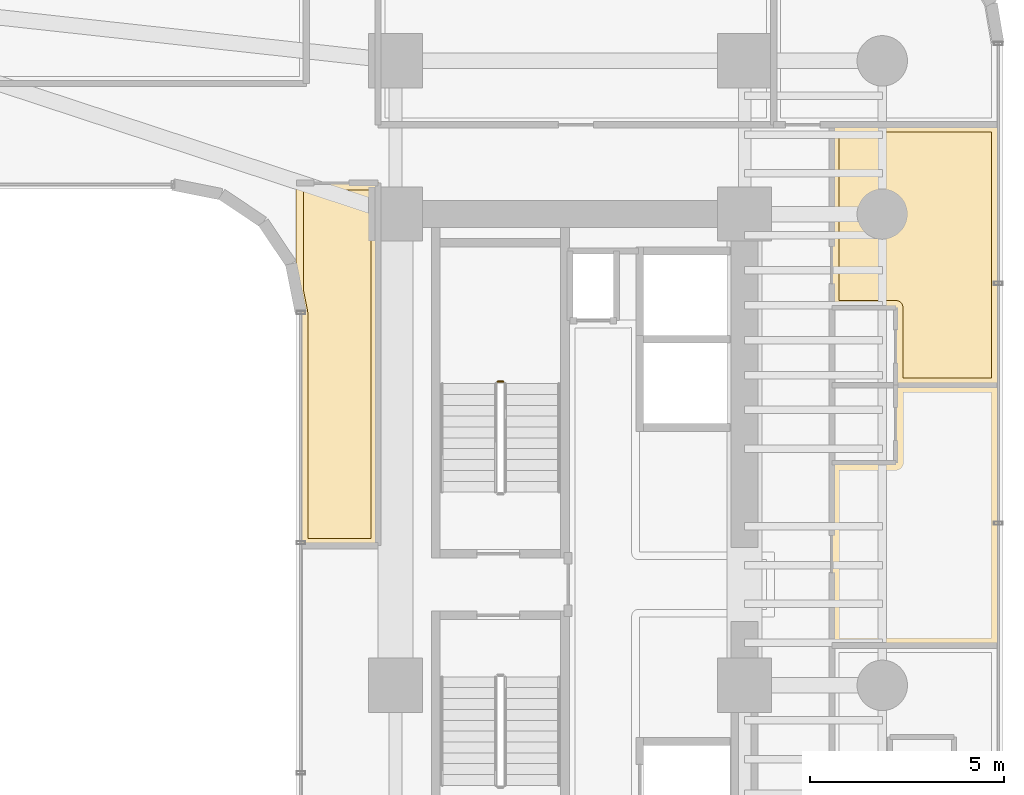
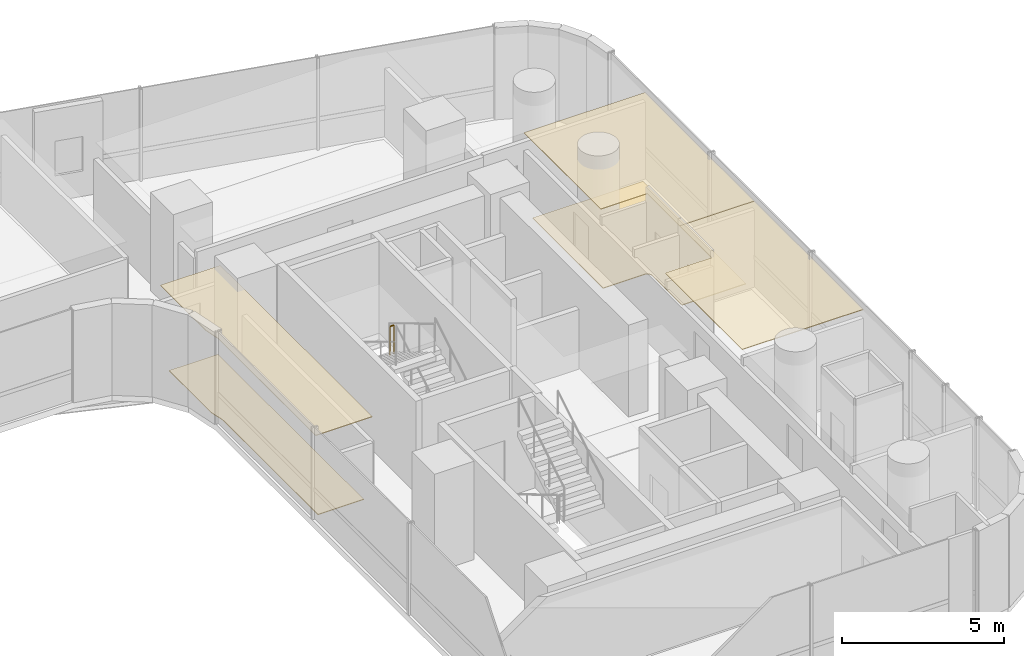
# One storey, part 38 of 39: 5 coverings, 1 railing.
"""IFC4 building model written with IfcOpenShell, lengths in metres."""

from ifc_helpers import new_model, si_unit, direction, frame, origin, origin_2d, place, context, subcontext, project, spatial, polyline, circle, outline, extrude, material, layer, layer_set, type_object, element, save


model = new_model("IFC4")

# Units and contexts
model_context = context("Model", 3, precision=1e-05, world=origin(), true_north=direction((0.0, 1.0)))
body_context = subcontext(model_context, "Body", "Model", "MODEL_VIEW")
ifc_project = project(units=[si_unit("LENGTHUNIT", "METRE"), si_unit("AREAUNIT", "SQUARE_METRE"), si_unit("VOLUMEUNIT", "CUBIC_METRE"), si_unit("PLANEANGLEUNIT", "RADIAN"), si_unit("MASSUNIT", "GRAM", prefix="KILO")], contexts=[model_context])

# Site, building, storey
site_placement = place(None, origin())
site = spatial("IfcSite", under=ifc_project, at=site_placement, CompositionType="ELEMENT")
building_placement = place(site_placement, origin())
building = spatial("IfcBuilding", under=site, at=building_placement, Name="Valdorenza Pilgrim Sanctuary Tower", CompositionType="ELEMENT")
storey_placement = place(building_placement, frame((0.0, 0.0, 74.10009765625)))
storey = spatial("IfcBuildingStorey", under=building, at=storey_placement, Name="L18", CompositionType="ELEMENT", Elevation=74.10009765625)

# Coverings
ifc_material_1 = material(Name="Micro-perforated acoustic mineral ceiling tile", Category="gypsum")
ifc_layer_1 = layer(ifc_material_1, 0.02490234375, Name="Micro-perforated acoustic mineral ceiling tile")
ifc_layer_set_1 = layer_set([ifc_layer_1], Name="Micro-perforated acoustic mineral ceiling tile")
covering_type_1 = type_object("IfcCoveringType", Name="COV-CLG-ACU", PredefinedType="CEILING", material=ifc_layer_set_1)
covering_1_placement = place(storey_placement, frame((0.0, 0.0, 3.159912109375)))
element("IfcCovering", 1, at=covering_1_placement, inside=storey, type_object=covering_type_1, Name="L18 East Sanctuary Guest Room L18-EG3 Acoustic Ceiling", PredefinedType="CEILING", context=body_context, shape_type="SweptSolid", body=[
    extrude(outline(polyline([(27.0849609375, 3.135986328125), (27.085205078125, 3.137451171875), (27.085205078125, 3.138916015625), (27.085693359375, 3.140380859375), (27.086181640625, 3.1416015625), (27.0869140625, 3.14306640625), (27.08740234375, 3.144287109375), (27.08837890625, 3.1455078125), (27.08935546875, 3.146484375), (27.090576171875, 3.147705078125), (27.091796875, 3.1484375), (27.093017578125, 3.149169921875), (27.09423828125, 3.14990234375), (27.095703125, 3.150390625), (27.09716796875, 3.150634765625), (27.098388671875, 3.15087890625), (27.10009765625, 3.15087890625), (28.737060546875, 3.15087890625), (28.737060546875, 5.137939453125), (28.737060546875, 5.139404296875), (28.7373046875, 5.140869140625), (28.737548828125, 5.142333984375), (28.738037109375, 5.143798828125), (28.73876953125, 5.14501953125), (28.739501953125, 5.146240234375), (28.740478515625, 5.1474609375), (28.741455078125, 5.148681640625), (28.742431640625, 5.149658203125), (28.74365234375, 5.150390625), (28.744873046875, 5.151123046875), (28.746337890625, 5.15185546875), (28.74755859375, 5.15234375), (28.7490234375, 5.152587890625), (28.75048828125, 5.15283203125), (28.751953125, 5.153076171875), (31.389892578125, 5.153076171875), (31.3916015625, 5.15283203125), (31.392822265625, 5.152587890625), (31.394287109375, 5.15234375), (31.395751953125, 5.15185546875), (31.397216796875, 5.151123046875), (31.398193359375, 5.150390625), (31.3994140625, 5.149658203125), (31.400634765625, 5.148681640625), (31.401611328125, 5.1474609375), (31.402587890625, 5.146240234375), (31.4033203125, 5.14501953125), (31.40380859375, 5.143798828125), (31.404296875, 5.142333984375), (31.40478515625, 5.140869140625), (31.40478515625, 5.139404296875), (31.405029296875, 5.137939453125), (31.405029296875, -1.572998046875), (31.40478515625, -1.574462890625), (31.40478515625, -1.575927734375), (31.404296875, -1.577392578125), (31.40380859375, -1.57861328125), (31.4033203125, -1.580078125), (31.402587890625, -1.581298828125), (31.401611328125, -1.58251953125), (31.400634765625, -1.58349609375), (31.3994140625, -1.584716796875), (31.398193359375, -1.58544921875), (31.397216796875, -1.586181640625), (31.395751953125, -1.5869140625), (31.394287109375, -1.58740234375), (31.392822265625, -1.587646484375), (31.3916015625, -1.587890625), (31.389892578125, -1.587890625), (27.10009765625, -1.587890625), (27.098388671875, -1.587890625), (27.09716796875, -1.587646484375), (27.095703125, -1.58740234375), (27.09423828125, -1.5869140625), (27.093017578125, -1.586181640625), (27.091796875, -1.58544921875), (27.090576171875, -1.584716796875), (27.08935546875, -1.58349609375), (27.08837890625, -1.58251953125), (27.08740234375, -1.581298828125), (27.0869140625, -1.580078125), (27.086181640625, -1.57861328125), (27.085693359375, -1.577392578125), (27.085205078125, -1.575927734375), (27.085205078125, -1.574462890625), (27.0849609375, -1.572998046875), (27.0849609375, 3.135986328125)])), origin(), (0.0, 0.0, 1.0), 0.02490234375),
])
covering_2_placement = place(storey_placement, frame((0.0, 0.0, 3.159912109375)))
element("IfcCovering", 2, at=covering_2_placement, inside=storey, type_object=covering_type_1, Name="L18 East Sanctuary Guest Room L18-EG4 Acoustic Ceiling", PredefinedType="CEILING", context=body_context, shape_type="SweptSolid", body=[
    extrude(outline(polyline([(28.737060546875, 7.125), (27.10009765625, 7.125), (27.098388671875, 7.125), (27.09716796875, 7.125244140625), (27.095703125, 7.12548828125), (27.09423828125, 7.126220703125), (27.093017578125, 7.126708984375), (27.091796875, 7.12744140625), (27.090576171875, 7.12841796875), (27.08935546875, 7.12939453125), (27.08837890625, 7.130615234375), (27.08740234375, 7.131591796875), (27.0869140625, 7.1328125), (27.086181640625, 7.13427734375), (27.085693359375, 7.135498046875), (27.085205078125, 7.13720703125), (27.085205078125, 7.138427734375), (27.0849609375, 7.139892578125), (27.0849609375, 11.847900390625), (27.085205078125, 11.849609375), (27.085205078125, 11.850830078125), (27.085693359375, 11.852294921875), (27.086181640625, 11.853759765625), (27.0869140625, 11.85498046875), (27.08740234375, 11.856201171875), (27.08837890625, 11.857421875), (27.08935546875, 11.858642578125), (27.090576171875, 11.859619140625), (27.091796875, 11.860595703125), (27.093017578125, 11.861083984375), (27.09423828125, 11.86181640625), (27.095703125, 11.8623046875), (27.09716796875, 11.86279296875), (27.098388671875, 11.86279296875), (27.10009765625, 11.863037109375), (31.389892578125, 11.863037109375), (31.3916015625, 11.86279296875), (31.392822265625, 11.86279296875), (31.394287109375, 11.8623046875), (31.395751953125, 11.86181640625), (31.397216796875, 11.861083984375), (31.398193359375, 11.860595703125), (31.3994140625, 11.859619140625), (31.400634765625, 11.858642578125), (31.401611328125, 11.857421875), (31.402587890625, 11.856201171875), (31.4033203125, 11.85498046875), (31.40380859375, 11.853759765625), (31.404296875, 11.852294921875), (31.40478515625, 11.850830078125), (31.40478515625, 11.849609375), (31.405029296875, 11.847900390625), (31.405029296875, 5.139892578125), (31.40478515625, 5.138427734375), (31.40478515625, 5.13720703125), (31.404296875, 5.135498046875), (31.40380859375, 5.13427734375), (31.4033203125, 5.1328125), (31.402587890625, 5.131591796875), (31.401611328125, 5.130615234375), (31.400634765625, 5.12939453125), (31.3994140625, 5.12841796875), (31.398193359375, 5.12744140625), (31.397216796875, 5.126708984375), (31.395751953125, 5.126220703125), (31.394287109375, 5.12548828125), (31.392822265625, 5.125244140625), (31.3916015625, 5.125), (31.389892578125, 5.125), (28.751953125, 5.125), (28.75048828125, 5.125), (28.7490234375, 5.125244140625), (28.74755859375, 5.12548828125), (28.746337890625, 5.126220703125), (28.744873046875, 5.126708984375), (28.74365234375, 5.12744140625), (28.742431640625, 5.12841796875), (28.741455078125, 5.12939453125), (28.740478515625, 5.130615234375), (28.739501953125, 5.131591796875), (28.73876953125, 5.1328125), (28.738037109375, 5.13427734375), (28.737548828125, 5.135498046875), (28.7373046875, 5.13720703125), (28.737060546875, 5.138427734375), (28.737060546875, 5.139892578125), (28.737060546875, 7.125)])), origin(), (0.0, 0.0, 1.0), 0.02490234375),
])
covering_3_placement = place(storey_placement, frame((0.0, 0.0, 3.159912109375)))
element("IfcCovering", 3, at=covering_3_placement, inside=storey, type_object=covering_type_1, Name="L18 Courtyard Overlook Salon L18 Acoustic Ceiling", PredefinedType="CEILING", context=body_context, shape_type="SweptSolid", body=[
    extrude(outline(polyline([(15.39990234375, 10.364990234375), (15.401611328125, 10.364990234375), (15.40283203125, 10.36474609375), (15.404296875, 10.364501953125), (15.40576171875, 10.364013671875), (15.406982421875, 10.36328125), (15.408203125, 10.362548828125), (15.409423828125, 10.361572265625), (15.41064453125, 10.360595703125), (15.41162109375, 10.359619140625), (15.41259765625, 10.3583984375), (15.4130859375, 10.357177734375), (15.413818359375, 10.355712890625), (15.414306640625, 10.3544921875), (15.414794921875, 10.352783203125), (15.414794921875, 10.3515625), (15.4150390625, 10.35009765625), (15.4150390625, 1.0), (15.414794921875, 0.99853515625), (15.414794921875, 0.9970703125), (15.414306640625, 0.99560546875), (15.413818359375, 0.994384765625), (15.4130859375, 0.992919921875), (15.41259765625, 0.99169921875), (15.41162109375, 0.990478515625), (15.41064453125, 0.989501953125), (15.409423828125, 0.98828125), (15.408203125, 0.987548828125), (15.406982421875, 0.98681640625), (15.40576171875, 0.986083984375), (15.404296875, 0.985595703125), (15.40283203125, 0.9853515625), (15.401611328125, 0.985107421875), (15.39990234375, 0.985107421875), (13.409912109375, 0.985107421875), (13.408447265625, 0.985107421875), (13.406982421875, 0.9853515625), (13.405517578125, 0.985595703125), (13.404296875, 0.986083984375), (13.40283203125, 0.98681640625), (13.401611328125, 0.987548828125), (13.400390625, 0.98828125), (13.3994140625, 0.989501953125), (13.3984375, 0.990478515625), (13.3974609375, 0.99169921875), (13.396728515625, 0.992919921875), (13.39599609375, 0.994384765625), (13.3955078125, 0.99560546875), (13.395263671875, 0.9970703125), (13.39501953125, 0.99853515625), (13.39501953125, 1.0), (13.39501953125, 6.99951171875), (13.39453125, 7.00927734375), (13.39306640625, 7.018798828125), (13.285400390625, 7.560791015625), (13.28515625, 7.562255859375), (13.284912109375, 7.563720703125), (13.284912109375, 10.35009765625), (13.28515625, 10.3515625), (13.285400390625, 10.352783203125), (13.28564453125, 10.3544921875), (13.2861328125, 10.355712890625), (13.286865234375, 10.357177734375), (13.28759765625, 10.3583984375), (13.288330078125, 10.359619140625), (13.289306640625, 10.360595703125), (13.29052734375, 10.361572265625), (13.291748046875, 10.362548828125), (13.29296875, 10.36328125), (13.294189453125, 10.364013671875), (13.295654296875, 10.364501953125), (13.297119140625, 10.36474609375), (13.298583984375, 10.364990234375), (13.300048828125, 10.364990234375), (15.39990234375, 10.364990234375)])), origin(), (0.0, 0.0, 1.0), 0.02490234375),
])
ifc_material_2 = material(Name="Engineered European oak timber flooring", Category="wood")
ifc_layer_2 = layer(ifc_material_2, 0.02197265625, Name="Engineered European oak timber flooring")
ifc_layer_set_2 = layer_set([ifc_layer_2], Name="Engineered European oak timber flooring")
covering_type_2 = type_object("IfcCoveringType", Name="COV-FLR-OAK", PredefinedType="FLOORING", material=ifc_layer_set_2)
covering_4_placement = place(storey_placement, origin())
element("IfcCovering", 4, at=covering_4_placement, inside=storey, type_object=covering_type_2, Name="L18 East Sanctuary Guest Room L18-EG4 Flooring", PredefinedType="FLOORING", context=body_context, shape_type="SweptSolid", body=[
    extrude(outline(polyline([(31.2099609375, 5.320068359375), (28.931884765625, 5.320068359375), (28.931884765625, 7.137939453125), (28.931884765625, 7.146728515625), (28.931884765625, 7.14697265625), (28.929931640625, 7.16455078125), (28.929931640625, 7.164794921875), (28.926513671875, 7.18212890625), (28.926513671875, 7.182373046875), (28.92138671875, 7.19921875), (28.92138671875, 7.199462890625), (28.91455078125, 7.2158203125), (28.91455078125, 7.2158203125), (28.90625, 7.2314453125), (28.906005859375, 7.231689453125), (28.896240234375, 7.246337890625), (28.89599609375, 7.24658203125), (28.885009765625, 7.260009765625), (28.884765625, 7.26025390625), (28.872314453125, 7.272705078125), (28.8720703125, 7.27294921875), (28.8583984375, 7.2841796875), (28.8583984375, 7.2841796875), (28.843505859375, 7.294189453125), (28.843505859375, 7.294189453125), (28.827880859375, 7.302490234375), (28.82763671875, 7.302490234375), (28.811279296875, 7.309326171875), (28.811279296875, 7.309326171875), (28.794189453125, 7.314453125), (28.794189453125, 7.314697265625), (28.77685546875, 7.318115234375), (28.776611328125, 7.318115234375), (28.759033203125, 7.31982421875), (28.7587890625, 7.31982421875), (28.75, 7.320068359375), (27.280029296875, 7.320068359375), (27.280029296875, 11.66796875), (31.2099609375, 11.66796875), (31.2099609375, 5.320068359375)])), origin(), (0.0, 0.0, 1.0), 0.02490234375),
])
ifc_material_3 = material(Name="Honed travertine stone flooring", Category="masonry")
ifc_layer_3 = layer(ifc_material_3, 0.030029296875, Name="Honed travertine stone flooring")
ifc_layer_set_3 = layer_set([ifc_layer_3], Name="Honed travertine stone flooring")
covering_type_3 = type_object("IfcCoveringType", Name="COV-FLR-TRV", PredefinedType="FLOORING", material=ifc_layer_set_3)
covering_5_placement = place(storey_placement, origin())
element("IfcCovering", 5, at=covering_5_placement, inside=storey, type_object=covering_type_3, Name="L18 Courtyard Overlook Salon L18 Flooring", PredefinedType="FLOORING", context=body_context, shape_type="SweptSolid", body=[
    extrude(outline(polyline([(15.219970703125, 10.169921875), (15.219970703125, 1.179931640625), (13.590087890625, 1.179931640625), (13.590087890625, 7.0), (13.58984375, 7.0087890625), (13.58935546875, 7.01953125), (13.58740234375, 7.037109375), (13.5859375, 7.0478515625), (13.58447265625, 7.056640625), (13.47998046875, 7.58154296875), (13.47998046875, 10.169921875), (15.219970703125, 10.169921875)])), origin(), (0.0, 0.0, 1.0), 0.02490234375),
])

# Railing
ifc_material_4 = material(Name="Stainless steel Grade 316", Category="steel")
railing_type = type_object("IfcRailingType", Name="RLG-GRD-1120", PredefinedType="GUARDRAIL", material=ifc_material_4)
railing_placement = place(storey_placement, frame((18.6298828125, 5.22998046875, 1.849853515625)))
element("IfcRailing", 6, at=railing_placement, inside=storey, type_object=railing_type, Name="L18 ST-B1 stair guard 2", PredefinedType="GUARDRAIL", context=body_context, shape_type="SweptSolid", body=[
    extrude(circle(Radius=0.02392578125, at=origin_2d()), frame((0.0, 0.0, 1.076171875), z_axis=(-1.0, 0.0, 0.0), x_axis=(0.0, -1.0, 0.0)), (0.0, 0.0, 1.0), 0.14990234375),
    extrude(circle(Radius=0.02099609375, at=origin_2d()), origin(), (0.0, 0.0, 1.0), 1.052001953125),
    extrude(circle(Radius=0.02099609375, at=origin_2d()), frame((-0.14990234375, 0.0, 0.0)), (0.0, 0.0, 1.0), 1.052001953125),
])

save(model, "model.ifc")
